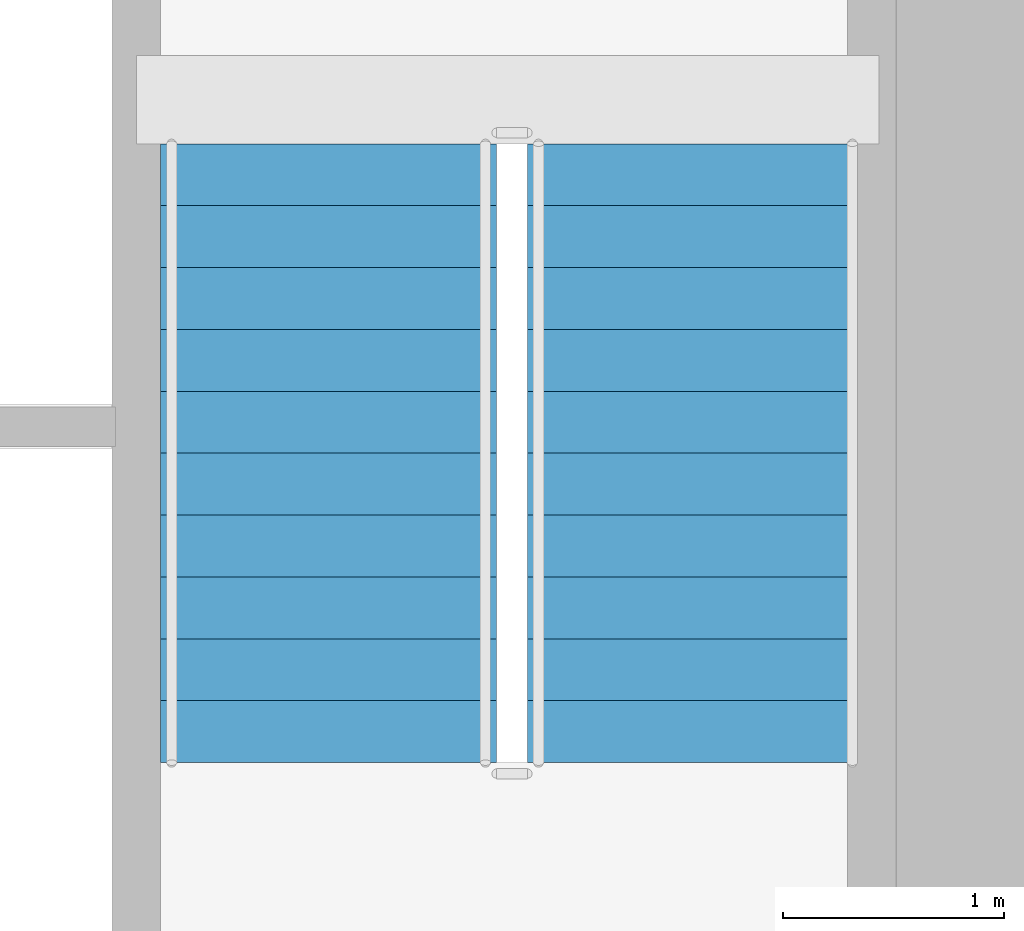
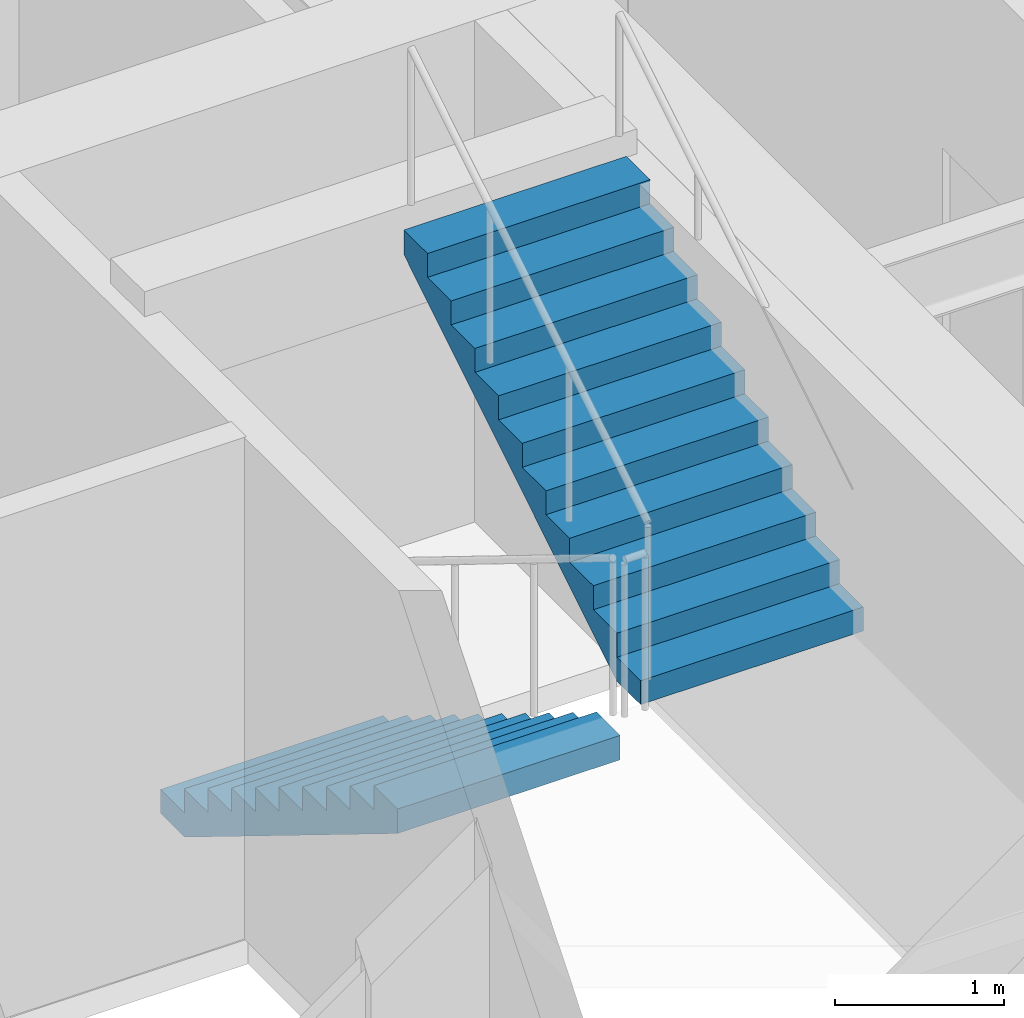
# One storey, part 10 of 11: 2 stair flights, 1 element without a shape of its own.
"""IFC4 building model written with IfcOpenShell, lengths in metres."""

import ifcopenshell
import ifcopenshell.guid

model = None  # the IFC model being written
_history = None  # IfcOwnerHistory: only IFC2X3 demands one
_inside = {}  # id of a spatial element -> (the spatial element, [elements in it])
_under = {}  # id of a project, library or spatial element -> (it, [spatial elements below it])
_declared = {}  # id of a project -> (the project, [libraries it declares])
_typed = {}  # id of a type object -> (the type object, [elements of that type])
_made_of = {}  # id of a material, layer set ... -> (it, [elements and type objects made of it])


def new_model(schema):
    """Start an empty IFC model of exactly this schema.

    Asked for "IFC4X3", IfcOpenShell would pick the latest addendum, in which some entities
    have other attributes; the version numbers below select the first issue.
    IFC2X3 requires an IfcOwnerHistory on every rooted entity: one is made here for all.
    """
    global model, _history
    if schema == "IFC4X3":
        model = ifcopenshell.file(schema_version=(4, 3, 0, 0))
    else:
        model = ifcopenshell.file(schema=schema)
    _inside.clear()
    _under.clear()
    _declared.clear()
    _typed.clear()
    _made_of.clear()
    _history = None
    if model.schema == "IFC2X3":
        org = make("IfcOrganization", Name="unknown")
        user = make(
            "IfcPersonAndOrganization",
            ThePerson=make("IfcPerson", FamilyName="unknown"),
            TheOrganization=org,
        )
        app = make(
            "IfcApplication",
            ApplicationDeveloper=org,
            Version="unknown",
            ApplicationFullName="unknown",
            ApplicationIdentifier="unknown",
        )
        _history = make(
            "IfcOwnerHistory",
            OwningUser=user,
            OwningApplication=app,
            ChangeAction="ADDED",
            CreationDate=0,
        )
    return model


def make(cls, **values):
    """One entity of the class cls with the attributes given. An attribute that is None is left unset."""
    return model.create_entity(
        cls, **{name: value for name, value in values.items() if value is not None}
    )


def rooted(cls, **values):
    """An entity with a GlobalId (a new one), such as an element, a storey or a relation."""
    return make(cls, GlobalId=ifcopenshell.guid.new(), OwnerHistory=_history, **values)


def si_unit(unit_type, name, prefix=None):
    """IfcSIUnit, for example si_unit("LENGTHUNIT", "METRE", prefix="MILLI")."""
    return make("IfcSIUnit", UnitType=unit_type, Prefix=prefix, Name=name)


def assignment(units):
    """IfcUnitAssignment: the units of a project."""
    return None if units is None else make("IfcUnitAssignment", Units=units)


def point(xyz):
    """IfcCartesianPoint."""
    return None if xyz is None else make("IfcCartesianPoint", Coordinates=xyz)


def direction(xyz):
    """IfcDirection."""
    return None if xyz is None else make("IfcDirection", DirectionRatios=xyz)


def frame(location, z_axis=None, x_axis=None):
    """IfcAxis2Placement3D, a coordinate frame: its origin and axes. An axis left out is left unset."""
    return make(
        "IfcAxis2Placement3D",
        Location=point(location),
        Axis=direction(z_axis),
        RefDirection=direction(x_axis),
    )


def origin():
    """The frame at (0, 0, 0) with its axes left unset."""
    return frame((0.0, 0.0, 0.0))


def place(relative_to, where):
    """IfcLocalPlacement: puts the frame where relative to a parent placement (None: the world)."""
    return make(
        "IfcLocalPlacement", PlacementRelTo=relative_to, RelativePlacement=where
    )


def context(
    kind, dimensions, precision=None, world=None, true_north=None, identifier=None
):
    """IfcGeometricRepresentationContext, for example the 3D "Model" context."""
    return make(
        "IfcGeometricRepresentationContext",
        ContextIdentifier=identifier,
        ContextType=kind,
        CoordinateSpaceDimension=dimensions,
        Precision=precision,
        WorldCoordinateSystem=world,
        TrueNorth=true_north,
    )


def subcontext(parent, identifier, kind, view, scale=None):
    """IfcGeometricRepresentationSubContext, for example "Body" below "Model"."""
    return make(
        "IfcGeometricRepresentationSubContext",
        ContextIdentifier=identifier,
        ContextType=kind,
        ParentContext=parent,
        TargetScale=scale,
        TargetView=view,
    )


def project(units=None, contexts=None):
    """IfcProject with its units and contexts."""
    return rooted(
        "IfcProject",
        Name="project",
        RepresentationContexts=contexts,
        UnitsInContext=assignment(units),
    )


def spatial(cls, under=None, at=None, **own):
    """A site, building, storey or space (cls), placed at a placement, below another one or the project."""
    s = rooted(cls, ObjectPlacement=at, **own)
    if under is not None:
        _under.setdefault(under.id(), (under, []))[1].append(s)
    return s


def polyline(points):
    """IfcPolyline through the points."""
    return make("IfcPolyline", Points=[point(p) for p in points])


def outline(outer, holes=None, kind="AREA"):
    """IfcArbitraryClosedProfileDef: a profile drawn as a closed curve; with holes, ...WithVoids."""
    if holes is None:
        return make("IfcArbitraryClosedProfileDef", ProfileType=kind, OuterCurve=outer)
    return make(
        "IfcArbitraryProfileDefWithVoids",
        ProfileType=kind,
        OuterCurve=outer,
        InnerCurves=holes,
    )


def extrude(swept, where, along, depth):
    """IfcExtrudedAreaSolid: the profile swept, set in the frame where, extruded along a direction by depth."""
    return make(
        "IfcExtrudedAreaSolid",
        SweptArea=swept,
        Position=where,
        ExtrudedDirection=direction(along),
        Depth=depth,
    )


def shape(context_of_items, identifier, shape_type, items):
    """IfcShapeRepresentation: the items that make up one representation, for example the "Body"."""
    return make(
        "IfcShapeRepresentation",
        ContextOfItems=context_of_items,
        RepresentationIdentifier=identifier,
        RepresentationType=shape_type,
        Items=items,
    )


def material(Name=None, Category=None):
    """IfcMaterial."""
    return make("IfcMaterial", Name=Name, Category=Category)


def made_of(thing, what):
    """Note that an element or type object is made of a material, layer set ...; save() writes the relation."""
    if what is not None:
        _made_of.setdefault(what.id(), (what, []))[1].append(thing)
    return thing


def type_object(cls, material=None, **own):
    """A type object (cls), such as IfcWallType, which elements share."""
    return made_of(rooted(cls, **own), material)


def element(
    cls,
    number,
    at=None,
    inside=None,
    cuts=None,
    type_object=None,
    material=None,
    context=None,
    identifier="Body",
    shape_type=None,
    held_by="IfcProductDefinitionShape",
    body=None,
    shapes=None,
    **own,
):
    """One element of the class cls, such as IfcWall. Its Tag is "e" and its number.

    at: its placement. inside: the storey or other place that contains it. cuts: it is an
    opening in that element (IfcRelVoidsElement). A single representation is given by context,
    identifier, shape_type and body (its items); several are given by shapes. held_by: the class
    of the entity that holds the representations. save() writes the other relations.
    """
    e = rooted(cls, Tag="e%d" % number, ObjectPlacement=at, **own)
    if body is not None:
        shapes = [shape(context, identifier, shape_type, body)]
    if shapes is not None:
        e.Representation = make(held_by, Representations=shapes)
    if inside is not None:
        _inside.setdefault(inside.id(), (inside, []))[1].append(e)
    if cuts is not None:
        rooted(
            "IfcRelVoidsElement", RelatingBuildingElement=cuts, RelatedOpeningElement=e
        )
    if type_object is not None:
        _typed.setdefault(type_object.id(), (type_object, []))[1].append(e)
    return made_of(e, material)


def aggregate(whole, parts):
    """IfcRelAggregates: a whole, such as a stair, and the parts it consists of."""
    return rooted("IfcRelAggregates", RelatingObject=whole, RelatedObjects=parts)


def save(model, path):
    """Write the relations noted so far, then the file.

    IfcRelAggregates (storeys below a building ...), IfcRelContainedInSpatialStructure (elements
    in a storey), IfcRelDefinesByType, IfcRelAssociatesMaterial and IfcRelDeclares: one each for
    every whole, place, type object, material and project.
    """
    for whole, parts in _under.values():
        aggregate(whole, parts)
    for where, things in _inside.values():
        rooted(
            "IfcRelContainedInSpatialStructure",
            RelatedElements=things,
            RelatingStructure=where,
        )
    for kind, things in _typed.values():
        rooted("IfcRelDefinesByType", RelatedObjects=things, RelatingType=kind)
    for what, things in _made_of.values():
        rooted("IfcRelAssociatesMaterial", RelatedObjects=things, RelatingMaterial=what)
    for by, libraries in _declared.values():
        rooted("IfcRelDeclares", RelatingContext=by, RelatedDefinitions=libraries)
    model.write(path)


model = new_model("IFC4")

# Units and contexts
model_context = context("Model", 3, precision=1e-05, world=origin(), true_north=direction((0.0, 1.0)))
body_context = subcontext(model_context, "Body", "Model", "MODEL_VIEW")
ifc_project = project(units=[si_unit("LENGTHUNIT", "METRE"), si_unit("AREAUNIT", "SQUARE_METRE"), si_unit("VOLUMEUNIT", "CUBIC_METRE"), si_unit("PLANEANGLEUNIT", "RADIAN"), si_unit("MASSUNIT", "GRAM", prefix="KILO")], contexts=[model_context])

# Site, building, storey
site_placement = place(None, origin())
site = spatial("IfcSite", under=ifc_project, at=site_placement, CompositionType="ELEMENT")
building_placement = place(site_placement, origin())
building = spatial("IfcBuilding", under=site, at=building_placement, Name="Haolan Belvedere Tower", CompositionType="ELEMENT")
storey_placement = place(building_placement, frame((0.0, 0.0, 211.60009765625)))
storey = spatial("IfcBuildingStorey", under=building, at=storey_placement, Name="L53", CompositionType="ELEMENT", Elevation=211.60009765625)

# Stair, stair flights
ifc_material = material(Name="Concrete C40/50", Category="concrete")
stair_type = type_object("IfcStairType", Name="STR-DL-22R-173", PredefinedType="HALF_TURN_STAIR", material=ifc_material)
stair_placement = place(storey_placement, origin())
stair = element("IfcStair", 1, at=stair_placement, inside=storey, type_object=stair_type, Name="L53 Smokeproof Core Exit Stair ST2", PredefinedType="HALF_TURN_STAIR")
stair_flight_type = type_object("IfcStairFlightType", Name="SFL-DL-11R-173", PredefinedType="STRAIGHT", material=ifc_material)
stair_flight_1_placement = place(storey_placement, frame((43.929931640625, 41.22998046875, 0.0), z_axis=(0.0, 0.0, 1.0), x_axis=(0.0, -1.0, 0.0)))
stair_flight_1 = element("IfcStairFlight", 2, at=stair_flight_1_placement, type_object=stair_flight_type, Name="ST2 flight 1", NumberOfRisers=11, NumberOfTreads=10, PredefinedType="STRAIGHT", RiserHeight=0.172727273, TreadLength=0.28, context=body_context, shape_type="SweptSolid", body=[
    extrude(outline(polyline([(0.0, 0.0), (0.0, 0.172607421875), (0.280029296875, 0.172607421875), (0.280029296875, 0.345458984375), (0.56005859375, 0.345458984375), (0.56005859375, 0.51806640625), (0.840087890625, 0.51806640625), (0.840087890625, 0.69091796875), (1.1201171875, 0.69091796875), (1.1201171875, 0.863525390625), (1.39990234375, 0.863525390625), (1.39990234375, 1.036376953125), (1.679931640625, 1.036376953125), (1.679931640625, 1.208984375), (1.9599609375, 1.208984375), (1.9599609375, 1.3818359375), (2.239990234375, 1.3818359375), (2.239990234375, 1.554443359375), (2.52001953125, 1.554443359375), (2.52001953125, 1.727294921875), (2.800048828125, 1.727294921875), (2.800048828125, 1.89990234375), (2.800048828125, 1.551025390625), (0.285400390625, 0.0), (0.0, 0.0)])), frame((0.0, 0.760009765625, 0.0), z_axis=(0.0, -1.0, 0.0), x_axis=(1.0, 0.0, 0.0)), (0.0, 0.0, 1.0), 1.52001953125),
])
stair_flight_2_placement = place(storey_placement, frame((45.590087890625, 38.429931640625, 1.89990234375), z_axis=(0.0, 0.0, 1.0), x_axis=(0.0, 1.0, 0.0)))
stair_flight_2 = element("IfcStairFlight", 3, at=stair_flight_2_placement, type_object=stair_flight_type, Name="ST2 flight 2", NumberOfRisers=11, NumberOfTreads=10, PredefinedType="STRAIGHT", RiserHeight=0.172727273, TreadLength=0.28, context=body_context, shape_type="SweptSolid", body=[
    extrude(outline(polyline([(0.0, 0.0), (0.0, 0.172607421875), (0.280029296875, 0.172607421875), (0.280029296875, 0.345458984375), (0.56005859375, 0.345458984375), (0.56005859375, 0.51806640625), (0.840087890625, 0.51806640625), (0.840087890625, 0.69091796875), (1.1201171875, 0.69091796875), (1.1201171875, 0.863525390625), (1.39990234375, 0.863525390625), (1.39990234375, 1.036376953125), (1.679931640625, 1.036376953125), (1.679931640625, 1.208984375), (1.9599609375, 1.208984375), (1.9599609375, 1.3818359375), (2.239990234375, 1.3818359375), (2.239990234375, 1.554443359375), (2.52001953125, 1.554443359375), (2.52001953125, 1.727294921875), (2.800048828125, 1.727294921875), (2.800048828125, 1.89990234375), (2.800048828125, 1.551025390625), (0.285400390625, 0.0), (0.0, 0.0)])), frame((0.0, 0.760009765625, 0.0), z_axis=(0.0, -1.0, 0.0), x_axis=(1.0, 0.0, 0.0)), (0.0, 0.0, 1.0), 1.52001953125),
])
aggregate(stair, [stair_flight_1, stair_flight_2])

save(model, "model.ifc")
